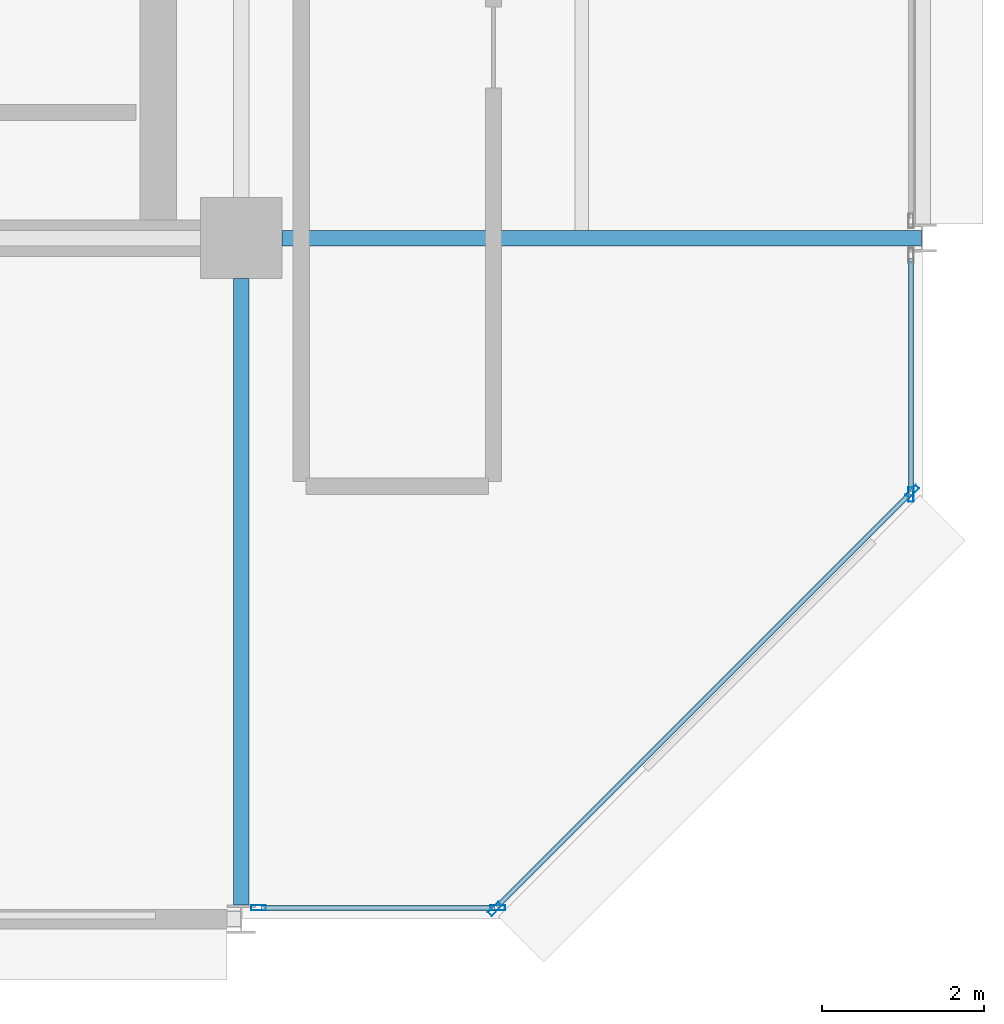
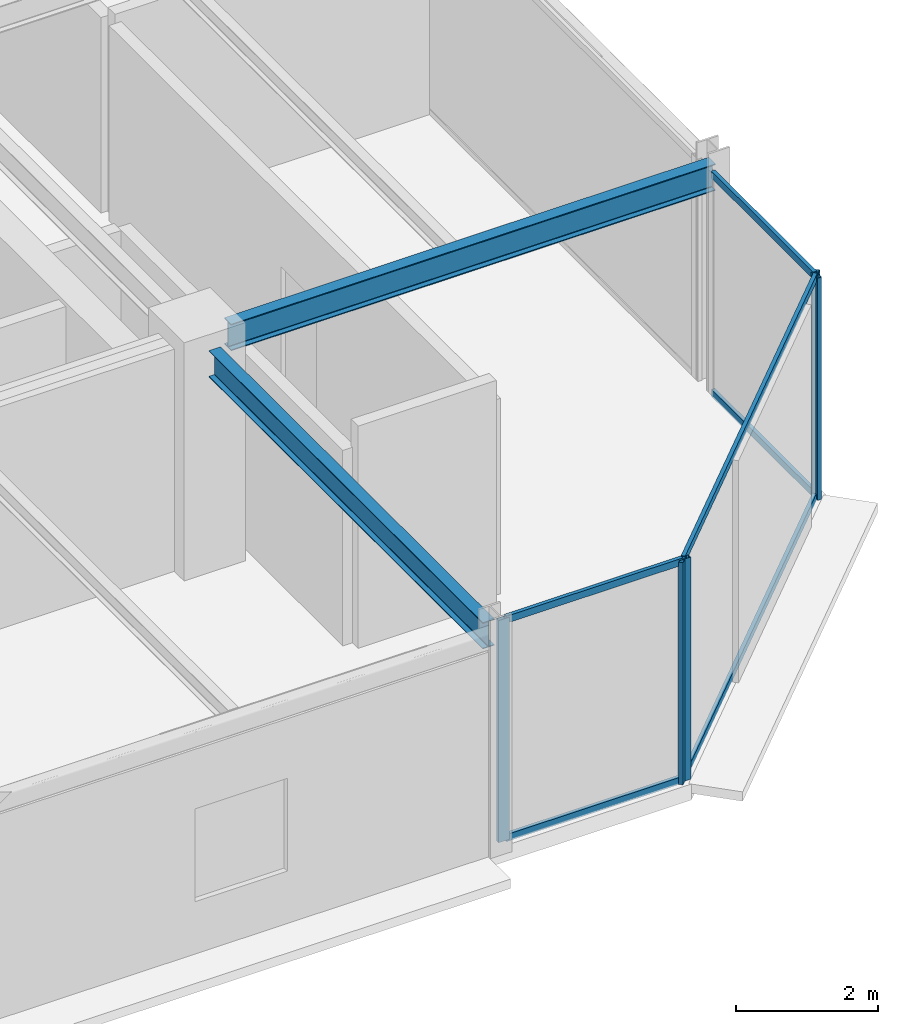
# One storey, part 13 of 26: 11 members, 2 beams, 3 elements without a shape of their own.
"""IFC4 building model written with IfcOpenShell, lengths in metres."""

import ifcopenshell
import ifcopenshell.guid

model = None  # the IFC model being written
_history = None  # IfcOwnerHistory: only IFC2X3 demands one
_inside = {}  # id of a spatial element -> (the spatial element, [elements in it])
_under = {}  # id of a project, library or spatial element -> (it, [spatial elements below it])
_declared = {}  # id of a project -> (the project, [libraries it declares])
_typed = {}  # id of a type object -> (the type object, [elements of that type])
_made_of = {}  # id of a material, layer set ... -> (it, [elements and type objects made of it])


def new_model(schema):
    """Start an empty IFC model of exactly this schema.

    Asked for "IFC4X3", IfcOpenShell would pick the latest addendum, in which some entities
    have other attributes; the version numbers below select the first issue.
    IFC2X3 requires an IfcOwnerHistory on every rooted entity: one is made here for all.
    """
    global model, _history
    if schema == "IFC4X3":
        model = ifcopenshell.file(schema_version=(4, 3, 0, 0))
    else:
        model = ifcopenshell.file(schema=schema)
    _inside.clear()
    _under.clear()
    _declared.clear()
    _typed.clear()
    _made_of.clear()
    _history = None
    if model.schema == "IFC2X3":
        org = make("IfcOrganization", Name="unknown")
        user = make(
            "IfcPersonAndOrganization",
            ThePerson=make("IfcPerson", FamilyName="unknown"),
            TheOrganization=org,
        )
        app = make(
            "IfcApplication",
            ApplicationDeveloper=org,
            Version="unknown",
            ApplicationFullName="unknown",
            ApplicationIdentifier="unknown",
        )
        _history = make(
            "IfcOwnerHistory",
            OwningUser=user,
            OwningApplication=app,
            ChangeAction="ADDED",
            CreationDate=0,
        )
    return model


def make(cls, **values):
    """One entity of the class cls with the attributes given. An attribute that is None is left unset."""
    return model.create_entity(
        cls, **{name: value for name, value in values.items() if value is not None}
    )


def rooted(cls, **values):
    """An entity with a GlobalId (a new one), such as an element, a storey or a relation."""
    return make(cls, GlobalId=ifcopenshell.guid.new(), OwnerHistory=_history, **values)


def si_unit(unit_type, name, prefix=None):
    """IfcSIUnit, for example si_unit("LENGTHUNIT", "METRE", prefix="MILLI")."""
    return make("IfcSIUnit", UnitType=unit_type, Prefix=prefix, Name=name)


def assignment(units):
    """IfcUnitAssignment: the units of a project."""
    return None if units is None else make("IfcUnitAssignment", Units=units)


def point(xyz):
    """IfcCartesianPoint."""
    return None if xyz is None else make("IfcCartesianPoint", Coordinates=xyz)


def direction(xyz):
    """IfcDirection."""
    return None if xyz is None else make("IfcDirection", DirectionRatios=xyz)


def frame(location, z_axis=None, x_axis=None):
    """IfcAxis2Placement3D, a coordinate frame: its origin and axes. An axis left out is left unset."""
    return make(
        "IfcAxis2Placement3D",
        Location=point(location),
        Axis=direction(z_axis),
        RefDirection=direction(x_axis),
    )


def frame_2d(location, x_axis=None):
    """IfcAxis2Placement2D, a coordinate frame in the plane: its origin and x axis."""
    return make(
        "IfcAxis2Placement2D", Location=point(location), RefDirection=direction(x_axis)
    )


def origin():
    """The frame at (0, 0, 0) with its axes left unset."""
    return frame((0.0, 0.0, 0.0))


def origin_2d():
    """The frame at (0, 0) in the plane with its x axis left unset."""
    return frame_2d((0.0, 0.0))


def place(relative_to, where):
    """IfcLocalPlacement: puts the frame where relative to a parent placement (None: the world)."""
    return make(
        "IfcLocalPlacement", PlacementRelTo=relative_to, RelativePlacement=where
    )


def context(
    kind, dimensions, precision=None, world=None, true_north=None, identifier=None
):
    """IfcGeometricRepresentationContext, for example the 3D "Model" context."""
    return make(
        "IfcGeometricRepresentationContext",
        ContextIdentifier=identifier,
        ContextType=kind,
        CoordinateSpaceDimension=dimensions,
        Precision=precision,
        WorldCoordinateSystem=world,
        TrueNorth=true_north,
    )


def subcontext(parent, identifier, kind, view, scale=None):
    """IfcGeometricRepresentationSubContext, for example "Body" below "Model"."""
    return make(
        "IfcGeometricRepresentationSubContext",
        ContextIdentifier=identifier,
        ContextType=kind,
        ParentContext=parent,
        TargetScale=scale,
        TargetView=view,
    )


def project(units=None, contexts=None):
    """IfcProject with its units and contexts."""
    return rooted(
        "IfcProject",
        Name="project",
        RepresentationContexts=contexts,
        UnitsInContext=assignment(units),
    )


def spatial(cls, under=None, at=None, **own):
    """A site, building, storey or space (cls), placed at a placement, below another one or the project."""
    s = rooted(cls, ObjectPlacement=at, **own)
    if under is not None:
        _under.setdefault(under.id(), (under, []))[1].append(s)
    return s


def profile(cls, at=None, kind="AREA", **sizes):
    """A parametric profile (cls). Its sizes go by their IFC names, for example OverallWidth=200.0."""
    return make(cls, ProfileType=kind, Position=at, **sizes)


def hollow_rectangle(**sizes):
    """IfcRectangleHollowProfileDef."""
    return profile("IfcRectangleHollowProfileDef", **sizes)


def i_section(**sizes):
    """IfcIShapeProfileDef."""
    return profile("IfcIShapeProfileDef", **sizes)


def extrude(swept, where, along, depth):
    """IfcExtrudedAreaSolid: the profile swept, set in the frame where, extruded along a direction by depth."""
    return make(
        "IfcExtrudedAreaSolid",
        SweptArea=swept,
        Position=where,
        ExtrudedDirection=direction(along),
        Depth=depth,
    )


def shape(context_of_items, identifier, shape_type, items):
    """IfcShapeRepresentation: the items that make up one representation, for example the "Body"."""
    return make(
        "IfcShapeRepresentation",
        ContextOfItems=context_of_items,
        RepresentationIdentifier=identifier,
        RepresentationType=shape_type,
        Items=items,
    )


def material(Name=None, Category=None):
    """IfcMaterial."""
    return make("IfcMaterial", Name=Name, Category=Category)


def layer(
    of_material, thickness, ventilated=None, Name=None, Category=None, Priority=None
):
    """IfcMaterialLayer: one layer of a wall or slab, of a material (None: an air gap)."""
    return make(
        "IfcMaterialLayer",
        Material=of_material,
        LayerThickness=thickness,
        IsVentilated=ventilated,
        Name=Name,
        Category=Category,
        Priority=Priority,
    )


def layer_set(layers, Name=None):
    """IfcMaterialLayerSet."""
    return make("IfcMaterialLayerSet", MaterialLayers=layers, LayerSetName=Name)


def material_profile(
    of_material, cross_section, Name=None, Category=None, Priority=None
):
    """IfcMaterialProfile: a cross section and its material."""
    return make(
        "IfcMaterialProfile",
        Name=Name,
        Material=of_material,
        Profile=cross_section,
        Priority=Priority,
        Category=Category,
    )


def profile_set(profiles, Name=None, composite=None):
    """IfcMaterialProfileSet."""
    return make(
        "IfcMaterialProfileSet",
        Name=Name,
        MaterialProfiles=profiles,
        CompositeProfile=composite,
    )


def made_of(thing, what):
    """Note that an element or type object is made of a material, layer set ...; save() writes the relation."""
    if what is not None:
        _made_of.setdefault(what.id(), (what, []))[1].append(thing)
    return thing


def type_object(cls, material=None, **own):
    """A type object (cls), such as IfcWallType, which elements share."""
    return made_of(rooted(cls, **own), material)


def element(
    cls,
    number,
    at=None,
    inside=None,
    cuts=None,
    type_object=None,
    material=None,
    context=None,
    identifier="Body",
    shape_type=None,
    held_by="IfcProductDefinitionShape",
    body=None,
    shapes=None,
    **own,
):
    """One element of the class cls, such as IfcWall. Its Tag is "e" and its number.

    at: its placement. inside: the storey or other place that contains it. cuts: it is an
    opening in that element (IfcRelVoidsElement). A single representation is given by context,
    identifier, shape_type and body (its items); several are given by shapes. held_by: the class
    of the entity that holds the representations. save() writes the other relations.
    """
    e = rooted(cls, Tag="e%d" % number, ObjectPlacement=at, **own)
    if body is not None:
        shapes = [shape(context, identifier, shape_type, body)]
    if shapes is not None:
        e.Representation = make(held_by, Representations=shapes)
    if inside is not None:
        _inside.setdefault(inside.id(), (inside, []))[1].append(e)
    if cuts is not None:
        rooted(
            "IfcRelVoidsElement", RelatingBuildingElement=cuts, RelatedOpeningElement=e
        )
    if type_object is not None:
        _typed.setdefault(type_object.id(), (type_object, []))[1].append(e)
    return made_of(e, material)


def aggregate(whole, parts):
    """IfcRelAggregates: a whole, such as a stair, and the parts it consists of."""
    return rooted("IfcRelAggregates", RelatingObject=whole, RelatedObjects=parts)


def save(model, path):
    """Write the relations noted so far, then the file.

    IfcRelAggregates (storeys below a building ...), IfcRelContainedInSpatialStructure (elements
    in a storey), IfcRelDefinesByType, IfcRelAssociatesMaterial and IfcRelDeclares: one each for
    every whole, place, type object, material and project.
    """
    for whole, parts in _under.values():
        aggregate(whole, parts)
    for where, things in _inside.values():
        rooted(
            "IfcRelContainedInSpatialStructure",
            RelatedElements=things,
            RelatingStructure=where,
        )
    for kind, things in _typed.values():
        rooted("IfcRelDefinesByType", RelatedObjects=things, RelatingType=kind)
    for what, things in _made_of.values():
        rooted("IfcRelAssociatesMaterial", RelatedObjects=things, RelatingMaterial=what)
    for by, libraries in _declared.values():
        rooted("IfcRelDeclares", RelatingContext=by, RelatedDefinitions=libraries)
    model.write(path)


model = new_model("IFC4")

# Units and contexts
model_context = context("Model", 3, precision=1e-05, world=origin(), true_north=direction((0.0, 1.0)))
body_context = subcontext(model_context, "Body", "Model", "MODEL_VIEW")
ifc_project = project(units=[si_unit("LENGTHUNIT", "METRE"), si_unit("AREAUNIT", "SQUARE_METRE"), si_unit("VOLUMEUNIT", "CUBIC_METRE"), si_unit("PLANEANGLEUNIT", "RADIAN"), si_unit("MASSUNIT", "GRAM", prefix="KILO")], contexts=[model_context])

# Site, building, storey
site_placement = place(None, origin())
site = spatial("IfcSite", under=ifc_project, at=site_placement, CompositionType="ELEMENT")
building_placement = place(site_placement, origin())
building = spatial("IfcBuilding", under=site, at=building_placement, Name="Nerrivon Quay Data Exchange", CompositionType="ELEMENT")
storey_placement = place(building_placement, frame((0.0, 0.0, 228.800048828125)))
storey = spatial("IfcBuildingStorey", under=building, at=storey_placement, Name="L54", CompositionType="ELEMENT", Elevation=228.800048828125)

# Beams
ifc_material_1 = material(Name="Steel Grade 350", Category="steel")
ifc_material_profile_1 = material_profile(ifc_material_1, i_section(OverallWidth=0.19091796875, OverallDepth=0.4599609375, WebThickness=0.010009765625, FlangeThickness=0.01611328125, FilletRadius=0.011474609375, at=origin_2d()), Name="460UB82.1")
ifc_profile_set_1 = profile_set([ifc_material_profile_1], Name="Steel Grade 350")
beam_type_1 = type_object("IfcBeamType", Name="BM-G5-460UB82", PredefinedType="BEAM", material=ifc_profile_set_1)
beam_1_placement = place(storey_placement, frame((34.10009765625, 8.39990234375, 3.594970703125), z_axis=(1.0, 0.0, 0.0), x_axis=(0.0, 1.0, 0.0)))
element("IfcBeam", 1, at=beam_1_placement, inside=storey, type_object=beam_type_1, Name="L54 EW Girder Y=8.4 (33.6..42.0)", PredefinedType="BEAM", context=body_context, shape_type="SweptSolid", body=[
    extrude(i_section(OverallWidth=0.19091796875, OverallDepth=0.4599609375, WebThickness=0.010009765625, FlangeThickness=0.01611328125, FilletRadius=0.011474609375, at=origin_2d()), origin(), (0.0, 0.0, 1.0), 7.889892578125),
])
ifc_material_profile_2 = material_profile(ifc_material_1, i_section(OverallWidth=0.18994140625, OverallDepth=0.4541015625, WebThickness=0.008544921875, FlangeThickness=0.0126953125, FilletRadius=0.011474609375, at=origin_2d()), Name="460UB67.1")
ifc_profile_set_2 = profile_set([ifc_material_profile_2], Name="Steel Grade 350")
beam_type_2 = type_object("IfcBeamType", Name="BM-G6-460UB67", PredefinedType="BEAM", material=ifc_profile_set_2)
beam_2_placement = place(storey_placement, frame((33.60009765625, 0.175048828125, 3.597900390625), z_axis=(0.0, 1.0, 0.0), x_axis=(-1.0, 0.0, 0.0)))
element("IfcBeam", 2, at=beam_2_placement, inside=storey, type_object=beam_type_2, Name="L54 NS Girder X=33.6 (0.0..8.4)", PredefinedType="BEAM", context=body_context, shape_type="SweptSolid", body=[
    extrude(i_section(OverallWidth=0.18994140625, OverallDepth=0.4541015625, WebThickness=0.008544921875, FlangeThickness=0.0126953125, FilletRadius=0.011474609375, at=origin_2d()), origin(), (0.0, 0.0, 1.0), 7.724853515625),
])

# Curtain wall, members
ifc_material_2 = material(Name="Anodised aluminium 6063-T6", Category="aluminium")
ifc_layer = layer(ifc_material_2, 0.195068359375)
ifc_layer_set = layer_set([ifc_layer], Name="Anodised aluminium 6063-T6")
curtain_wall_type = type_object("IfcCurtainWallType", Name="CW-SYS-06", PredefinedType="NOTDEFINED", material=ifc_layer_set)
curtain_wall_1_placement = place(storey_placement, origin())
curtain_wall_1 = element("IfcCurtainWall", 3, at=curtain_wall_1_placement, inside=storey, type_object=curtain_wall_type, Name="L54 Unitised Curtain Wall 1", PredefinedType="NOTDEFINED")
ifc_material_profile_3 = material_profile(ifc_material_2, hollow_rectangle(XDim=0.06494140625, YDim=0.179931640625, WallThickness=0.00341796875, at=origin_2d()), Name="ALU-MULL-180x65")
ifc_profile_set_3 = profile_set([ifc_material_profile_3], Name="Anodised aluminium 6063-T6")
member_type_1 = type_object("IfcMemberType", Name="CWM-180x65", PredefinedType="MULLION", material=ifc_profile_set_3)
member_1_placement = place(storey_placement, frame((41.87451171875, 5.2724609375, 0.0), z_axis=(0.0, 0.0, 1.0), x_axis=(0.707106781187, -0.707106781187, 0.0)))
member_1 = element("IfcMember", 4, at=member_1_placement, type_object=member_type_1, Name="CW06 mullion 1", PredefinedType="MULLION", context=body_context, shape_type="SweptSolid", body=[
    extrude(hollow_rectangle(XDim=0.06494140625, YDim=0.179931640625, WallThickness=0.00341796875, at=origin_2d()), origin(), (0.0, 0.0, 1.0), 3.824951171875),
])
member_2_placement = place(storey_placement, frame((36.7275390625, 0.12548828125, 0.0), z_axis=(0.0, 0.0, 1.0), x_axis=(0.707106781187, -0.707106781187, 0.0)))
member_2 = element("IfcMember", 5, at=member_2_placement, type_object=member_type_1, Name="CW06 mullion 2", PredefinedType="MULLION", context=body_context, shape_type="SweptSolid", body=[
    extrude(hollow_rectangle(XDim=0.06494140625, YDim=0.179931640625, WallThickness=0.00341796875, at=origin_2d()), origin(), (0.0, 0.0, 1.0), 3.824951171875),
])

curtain_wall_2_placement = place(storey_placement, origin())
curtain_wall_2 = element("IfcCurtainWall", 6, at=curtain_wall_2_placement, inside=storey, type_object=curtain_wall_type, Name="L54 Unitised Curtain Wall 2", PredefinedType="NOTDEFINED")
member_3_placement = place(storey_placement, frame((36.762451171875, 0.139892578125, 0.0), z_axis=(0.0, 0.0, 1.0), x_axis=(0.0, -1.0, 0.0)))
member_3 = element("IfcMember", 7, at=member_3_placement, type_object=member_type_1, Name="CW06 mullion 1", PredefinedType="MULLION", context=body_context, shape_type="SweptSolid", body=[
    extrude(hollow_rectangle(XDim=0.06494140625, YDim=0.179931640625, WallThickness=0.00341796875, at=origin_2d()), origin(), (0.0, 0.0, 1.0), 3.824951171875),
])
member_4_placement = place(storey_placement, frame((33.8125, 0.139892578125, 0.0), z_axis=(0.0, 0.0, 1.0), x_axis=(0.0, -1.0, 0.0)))
member_4 = element("IfcMember", 8, at=member_4_placement, type_object=member_type_1, Name="CW06 mullion 2", PredefinedType="MULLION", context=body_context, shape_type="SweptSolid", body=[
    extrude(hollow_rectangle(XDim=0.06494140625, YDim=0.179931640625, WallThickness=0.00341796875, at=origin_2d()), origin(), (0.0, 0.0, 1.0), 3.824951171875),
])

# Curtain wall, member
curtain_wall_3_placement = place(storey_placement, origin())
curtain_wall_3 = element("IfcCurtainWall", 9, at=curtain_wall_3_placement, inside=storey, type_object=curtain_wall_type, Name="L54 Unitised Curtain Wall 28", PredefinedType="NOTDEFINED")
member_5_placement = place(storey_placement, frame((41.860107421875, 5.237548828125, 0.0), z_axis=(0.0, 0.0, 1.0), x_axis=(1.0, 0.0, 0.0)))
member_5 = element("IfcMember", 10, at=member_5_placement, type_object=member_type_1, Name="CW06 mullion 2", PredefinedType="MULLION", context=body_context, shape_type="SweptSolid", body=[
    extrude(hollow_rectangle(XDim=0.06494140625, YDim=0.179931640625, WallThickness=0.00341796875, at=origin_2d()), origin(), (0.0, 0.0, 1.0), 3.824951171875),
])

# Member
ifc_material_profile_4 = material_profile(ifc_material_2, hollow_rectangle(XDim=0.06005859375, YDim=0.1201171875, WallThickness=0.003173828125, at=origin_2d()), Name="ALU-TRAN-120x60")
ifc_profile_set_4 = profile_set([ifc_material_profile_4], Name="Anodised aluminium 6063-T6")
member_type_2 = type_object("IfcMemberType", Name="CWT-120x60", PredefinedType="USERDEFINED", material=ifc_profile_set_4)
member_6_placement = place(storey_placement, frame((41.847900390625, 5.245849609375, 0.032470703125), z_axis=(-0.707106781187, -0.707106781187, 0.0), x_axis=(0.707106781187, -0.707106781187, 0.0)))
member_6 = element("IfcMember", 11, at=member_6_placement, type_object=member_type_2, Name="CW06 transom 1.1", ObjectType="TRANSOM", PredefinedType="USERDEFINED", context=body_context, shape_type="SweptSolid", body=[
    extrude(hollow_rectangle(XDim=0.06005859375, YDim=0.1201171875, WallThickness=0.003173828125, at=origin_2d()), origin(), (0.0, 0.0, 1.0), 7.20361328125),
])

member_7_placement = place(storey_placement, frame((41.847900390625, 5.245849609375, 3.79248046875), z_axis=(-0.707106781187, -0.707106781187, 0.0), x_axis=(0.707106781187, -0.707106781187, 0.0)))
member_7 = element("IfcMember", 12, at=member_7_placement, type_object=member_type_2, Name="CW06 transom 1.2", ObjectType="TRANSOM", PredefinedType="USERDEFINED", context=body_context, shape_type="SweptSolid", body=[
    extrude(hollow_rectangle(XDim=0.06005859375, YDim=0.1201171875, WallThickness=0.003173828125, at=origin_2d()), origin(), (0.0, 0.0, 1.0), 7.20361328125),
])

aggregate(curtain_wall_1, [member_1, member_2, member_6, member_7])

member_8_placement = place(storey_placement, frame((36.72509765625, 0.139892578125, 0.032470703125), z_axis=(-1.0, 0.0, 0.0), x_axis=(0.0, -1.0, 0.0)))
member_8 = element("IfcMember", 13, at=member_8_placement, type_object=member_type_2, Name="CW06 transom 1.1", ObjectType="TRANSOM", PredefinedType="USERDEFINED", context=body_context, shape_type="SweptSolid", body=[
    extrude(hollow_rectangle(XDim=0.06005859375, YDim=0.1201171875, WallThickness=0.003173828125, at=origin_2d()), origin(), (0.0, 0.0, 1.0), 2.875),
])

member_9_placement = place(storey_placement, frame((36.72509765625, 0.139892578125, 3.79248046875), z_axis=(-1.0, 0.0, 0.0), x_axis=(0.0, -1.0, 0.0)))
member_9 = element("IfcMember", 14, at=member_9_placement, type_object=member_type_2, Name="CW06 transom 1.2", ObjectType="TRANSOM", PredefinedType="USERDEFINED", context=body_context, shape_type="SweptSolid", body=[
    extrude(hollow_rectangle(XDim=0.06005859375, YDim=0.1201171875, WallThickness=0.003173828125, at=origin_2d()), origin(), (0.0, 0.0, 1.0), 2.875),
])

aggregate(curtain_wall_2, [member_3, member_4, member_8, member_9])

member_10_placement = place(storey_placement, frame((41.860107421875, 8.14990234375, 0.032470703125), z_axis=(0.0, -1.0, 0.0), x_axis=(1.0, 0.0, 0.0)))
member_10 = element("IfcMember", 15, at=member_10_placement, type_object=member_type_2, Name="CW06 transom 1.1", ObjectType="TRANSOM", PredefinedType="USERDEFINED", context=body_context, shape_type="SweptSolid", body=[
    extrude(hollow_rectangle(XDim=0.06005859375, YDim=0.1201171875, WallThickness=0.003173828125, at=origin_2d()), origin(), (0.0, 0.0, 1.0), 2.875),
])

member_11_placement = place(storey_placement, frame((41.860107421875, 8.14990234375, 3.79248046875), z_axis=(0.0, -1.0, 0.0), x_axis=(1.0, 0.0, 0.0)))
member_11 = element("IfcMember", 16, at=member_11_placement, type_object=member_type_2, Name="CW06 transom 1.2", ObjectType="TRANSOM", PredefinedType="USERDEFINED", context=body_context, shape_type="SweptSolid", body=[
    extrude(hollow_rectangle(XDim=0.06005859375, YDim=0.1201171875, WallThickness=0.003173828125, at=origin_2d()), origin(), (0.0, 0.0, 1.0), 2.875),
])

aggregate(curtain_wall_3, [member_5, member_10, member_11])

save(model, "model.ifc")
